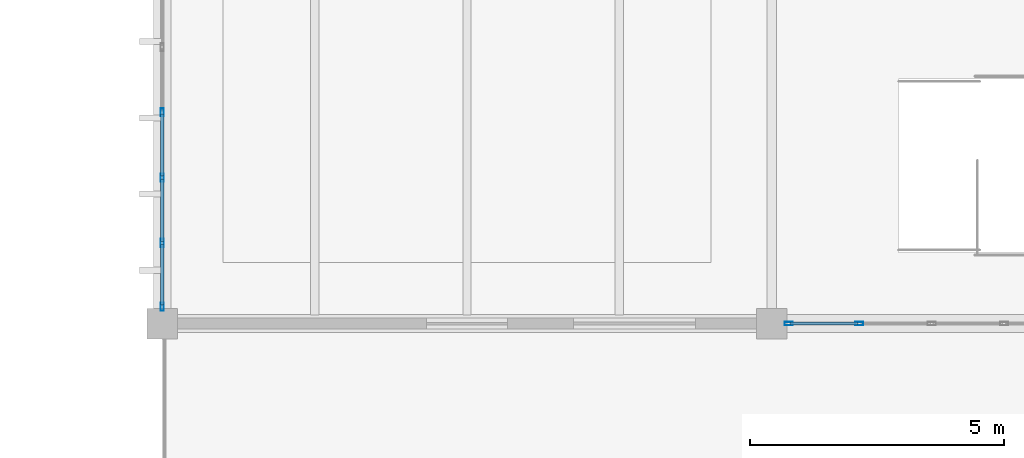
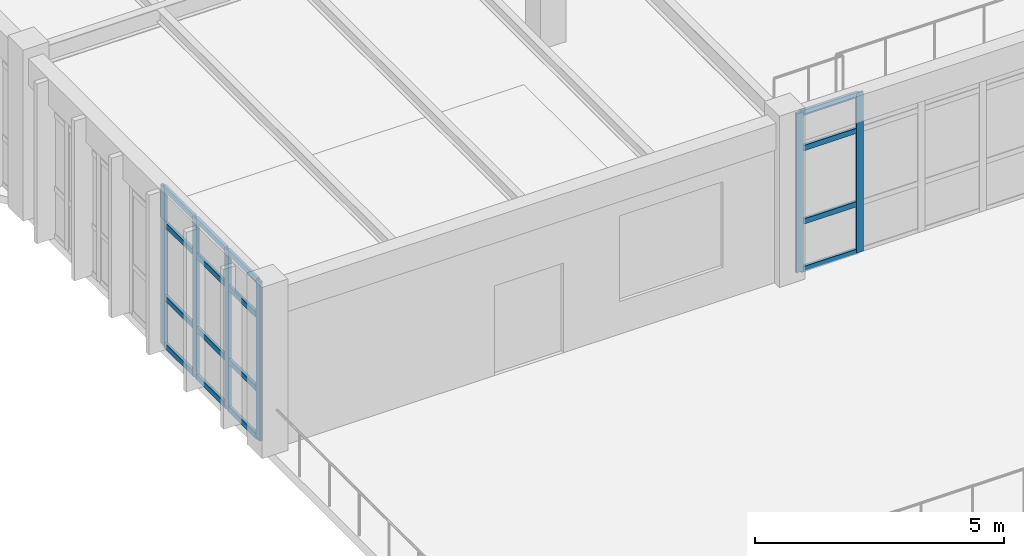
# One storey, part 24 of 83: 22 members, 2 elements without a shape of their own.
"""IFC4 building model written with IfcOpenShell, lengths in metres."""

from ifc_helpers import new_model, si_unit, direction, frame, origin, origin_2d, place, context, subcontext, project, spatial, hollow_rectangle, extrude, material, layer, layer_set, material_profile, profile_set, type_object, element, aggregate, save


model = new_model("IFC4")

# Units and contexts
model_context = context("Model", 3, precision=1e-05, world=origin(), true_north=direction((0.0, 1.0)))
body_context = subcontext(model_context, "Body", "Model", "MODEL_VIEW")
ifc_project = project(units=[si_unit("LENGTHUNIT", "METRE"), si_unit("AREAUNIT", "SQUARE_METRE"), si_unit("VOLUMEUNIT", "CUBIC_METRE"), si_unit("PLANEANGLEUNIT", "RADIAN"), si_unit("MASSUNIT", "GRAM", prefix="KILO")], contexts=[model_context])

# Site, building, storey
site_placement = place(None, origin())
site = spatial("IfcSite", under=ifc_project, at=site_placement, CompositionType="ELEMENT")
building_placement = place(site_placement, origin())
building = spatial("IfcBuilding", under=site, at=building_placement, Name="Pandanus Reach Market Hall", CompositionType="ELEMENT")
storey_placement = place(building_placement, frame((0.0, 0.0, 10.199951171875)))
storey = spatial("IfcBuildingStorey", under=building, at=storey_placement, Name="L02", CompositionType="ELEMENT", Elevation=10.199951171875)

# Curtain wall, members
ifc_material_1 = material(Name="Bronze anodised aluminium and low-E glass", Category="aluminium")
ifc_layer_1 = layer(ifc_material_1, 0.159912109375, Name="CW-30")
ifc_layer_set_1 = layer_set([ifc_layer_1], Name="Bronze anodised aluminium and low-E glass")
curtain_wall_type_1 = type_object("IfcCurtainWallType", Name="CW-30", PredefinedType="NOTDEFINED", material=ifc_layer_set_1)
curtain_wall_1_placement = place(storey_placement, origin())
curtain_wall_1 = element("IfcCurtainWall", 1, at=curtain_wall_1_placement, inside=storey, type_object=curtain_wall_type_1, Name="Glazed curtain wall CW-30 CW-0100", PredefinedType="NOTDEFINED")
ifc_material_2 = material(Name="Bronze anodised aluminium", Category="aluminium")
ifc_material_profile_1 = material_profile(ifc_material_2, hollow_rectangle(XDim=0.06494140625, YDim=0.159912109375, WallThickness=0.00390625, at=origin_2d()), Name="ALU65x160", Category="LoadBearing")
ifc_profile_set_1 = profile_set([ifc_material_profile_1], Name="Bronze anodised aluminium")
member_type_1 = type_object("IfcMemberType", Name="CW-M1", PredefinedType="MULLION", material=ifc_profile_set_1)
member_1_placement = place(storey_placement, frame((156.33251953125, 19.199951171875, 0.0), z_axis=(0.0, 0.0, 1.0), x_axis=(0.0, 1.0, 0.0)))
member_1 = element("IfcMember", 2, at=member_1_placement, type_object=member_type_1, Name="CW-30 mullion 1", PredefinedType="MULLION", context=body_context, shape_type="SweptSolid", body=[
    extrude(hollow_rectangle(XDim=0.06494140625, YDim=0.159912109375, WallThickness=0.00390625, at=origin_2d()), origin(), (0.0, 0.0, 1.0), 3.900146484375),
])
member_2_placement = place(storey_placement, frame((157.72509765625, 19.199951171875, 0.0), z_axis=(0.0, 0.0, 1.0), x_axis=(0.0, 1.0, 0.0)))
member_2 = element("IfcMember", 3, at=member_2_placement, type_object=member_type_1, Name="CW-30 mullion 2", PredefinedType="MULLION", context=body_context, shape_type="SweptSolid", body=[
    extrude(hollow_rectangle(XDim=0.06494140625, YDim=0.159912109375, WallThickness=0.00390625, at=origin_2d()), origin(), (0.0, 0.0, 1.0), 3.900146484375),
])

ifc_layer_2 = layer(ifc_material_1, 0.159912109375, Name="CW-33")
ifc_layer_set_2 = layer_set([ifc_layer_2], Name="Bronze anodised aluminium and low-E glass")
curtain_wall_type_2 = type_object("IfcCurtainWallType", Name="CW-33", PredefinedType="NOTDEFINED", material=ifc_layer_set_2)
curtain_wall_2_placement = place(storey_placement, origin())
curtain_wall_2 = element("IfcCurtainWall", 4, at=curtain_wall_2_placement, inside=storey, type_object=curtain_wall_type_2, Name="Glazed curtain wall CW-33 CW-0109", PredefinedType="NOTDEFINED")
member_3_placement = place(storey_placement, frame((144.0, 19.532470703125, 0.0), z_axis=(0.0, 0.0, 1.0), x_axis=(-1.0, 0.0, 0.0)))
member_3 = element("IfcMember", 5, at=member_3_placement, type_object=member_type_1, Name="CW-33 mullion 1", PredefinedType="MULLION", context=body_context, shape_type="SweptSolid", body=[
    extrude(hollow_rectangle(XDim=0.06494140625, YDim=0.159912109375, WallThickness=0.00390625, at=origin_2d()), origin(), (0.0, 0.0, 1.0), 3.900146484375),
])
member_4_placement = place(storey_placement, frame((144.0, 20.78564453125, 0.0), z_axis=(0.0, 0.0, 1.0), x_axis=(-1.0, 0.0, 0.0)))
member_4 = element("IfcMember", 6, at=member_4_placement, type_object=member_type_1, Name="CW-33 mullion 2", PredefinedType="MULLION", context=body_context, shape_type="SweptSolid", body=[
    extrude(hollow_rectangle(XDim=0.06494140625, YDim=0.159912109375, WallThickness=0.00390625, at=origin_2d()), origin(), (0.0, 0.0, 1.0), 3.900146484375),
])
member_5_placement = place(storey_placement, frame((144.0, 22.071533203125, 0.0), z_axis=(0.0, 0.0, 1.0), x_axis=(-1.0, 0.0, 0.0)))
member_5 = element("IfcMember", 7, at=member_5_placement, type_object=member_type_1, Name="CW-33 mullion 3", PredefinedType="MULLION", context=body_context, shape_type="SweptSolid", body=[
    extrude(hollow_rectangle(XDim=0.06494140625, YDim=0.159912109375, WallThickness=0.00390625, at=origin_2d()), origin(), (0.0, 0.0, 1.0), 3.900146484375),
])
member_6_placement = place(storey_placement, frame((144.0, 23.357177734375, 0.0), z_axis=(0.0, 0.0, 1.0), x_axis=(-1.0, 0.0, 0.0)))
member_6 = element("IfcMember", 8, at=member_6_placement, type_object=member_type_1, Name="CW-33 mullion 4", PredefinedType="MULLION", context=body_context, shape_type="SweptSolid", body=[
    extrude(hollow_rectangle(XDim=0.06494140625, YDim=0.159912109375, WallThickness=0.00390625, at=origin_2d()), origin(), (0.0, 0.0, 1.0), 3.900146484375),
])

# Member
ifc_material_profile_2 = material_profile(ifc_material_2, hollow_rectangle(XDim=0.06494140625, YDim=0.1298828125, WallThickness=0.00390625, at=origin_2d()), Name="ALU65x130", Category="LoadBearing")
ifc_profile_set_2 = profile_set([ifc_material_profile_2], Name="Bronze anodised aluminium")
member_type_2 = type_object("IfcMemberType", Name="CW-T1", PredefinedType="USERDEFINED", material=ifc_profile_set_2)
member_7_placement = place(storey_placement, frame((156.364990234375, 19.199951171875, 0.032470703125), z_axis=(1.0, 0.0, 0.0), x_axis=(0.0, 1.0, 0.0)))
member_7 = element("IfcMember", 9, at=member_7_placement, type_object=member_type_2, Name="CW-30 transom 1.1", ObjectType="TRANSOM", PredefinedType="USERDEFINED", context=body_context, shape_type="SweptSolid", body=[
    extrude(hollow_rectangle(XDim=0.06494140625, YDim=0.1298828125, WallThickness=0.00390625, at=origin_2d()), origin(), (0.0, 0.0, 1.0), 1.327392578125),
])

member_8_placement = place(storey_placement, frame((156.364990234375, 19.199951171875, 1.199951171875), z_axis=(1.0, 0.0, 0.0), x_axis=(0.0, 1.0, 0.0)))
member_8 = element("IfcMember", 10, at=member_8_placement, type_object=member_type_2, Name="CW-30 transom 1.2", ObjectType="TRANSOM", PredefinedType="USERDEFINED", context=body_context, shape_type="SweptSolid", body=[
    extrude(hollow_rectangle(XDim=0.06494140625, YDim=0.1298828125, WallThickness=0.00390625, at=origin_2d()), origin(), (0.0, 0.0, 1.0), 1.327392578125),
])

member_9_placement = place(storey_placement, frame((156.364990234375, 19.199951171875, 3.0), z_axis=(1.0, 0.0, 0.0), x_axis=(0.0, 1.0, 0.0)))
member_9 = element("IfcMember", 11, at=member_9_placement, type_object=member_type_2, Name="CW-30 transom 1.3", ObjectType="TRANSOM", PredefinedType="USERDEFINED", context=body_context, shape_type="SweptSolid", body=[
    extrude(hollow_rectangle(XDim=0.06494140625, YDim=0.1298828125, WallThickness=0.00390625, at=origin_2d()), origin(), (0.0, 0.0, 1.0), 1.327392578125),
])

member_10_placement = place(storey_placement, frame((156.364990234375, 19.199951171875, 3.867431640625), z_axis=(1.0, 0.0, 0.0), x_axis=(0.0, 1.0, 0.0)))
member_10 = element("IfcMember", 12, at=member_10_placement, type_object=member_type_2, Name="CW-30 transom 1.4", ObjectType="TRANSOM", PredefinedType="USERDEFINED", context=body_context, shape_type="SweptSolid", body=[
    extrude(hollow_rectangle(XDim=0.06494140625, YDim=0.1298828125, WallThickness=0.00390625, at=origin_2d()), origin(), (0.0, 0.0, 1.0), 1.327392578125),
])

aggregate(curtain_wall_1, [member_1, member_2, member_7, member_8, member_9, member_10])

member_11_placement = place(storey_placement, frame((144.0, 19.56494140625, 0.032470703125), z_axis=(0.0, 1.0, 0.0), x_axis=(-1.0, 0.0, 0.0)))
member_11 = element("IfcMember", 13, at=member_11_placement, type_object=member_type_2, Name="CW-33 transom 1.1", ObjectType="TRANSOM", PredefinedType="USERDEFINED", context=body_context, shape_type="SweptSolid", body=[
    extrude(hollow_rectangle(XDim=0.06494140625, YDim=0.1298828125, WallThickness=0.00390625, at=origin_2d()), origin(), (0.0, 0.0, 1.0), 1.188232421875),
])

member_12_placement = place(storey_placement, frame((144.0, 19.56494140625, 1.199951171875), z_axis=(0.0, 1.0, 0.0), x_axis=(-1.0, 0.0, 0.0)))
member_12 = element("IfcMember", 14, at=member_12_placement, type_object=member_type_2, Name="CW-33 transom 1.2", ObjectType="TRANSOM", PredefinedType="USERDEFINED", context=body_context, shape_type="SweptSolid", body=[
    extrude(hollow_rectangle(XDim=0.06494140625, YDim=0.1298828125, WallThickness=0.00390625, at=origin_2d()), origin(), (0.0, 0.0, 1.0), 1.188232421875),
])

member_13_placement = place(storey_placement, frame((144.0, 19.56494140625, 3.0), z_axis=(0.0, 1.0, 0.0), x_axis=(-1.0, 0.0, 0.0)))
member_13 = element("IfcMember", 15, at=member_13_placement, type_object=member_type_2, Name="CW-33 transom 1.3", ObjectType="TRANSOM", PredefinedType="USERDEFINED", context=body_context, shape_type="SweptSolid", body=[
    extrude(hollow_rectangle(XDim=0.06494140625, YDim=0.1298828125, WallThickness=0.00390625, at=origin_2d()), origin(), (0.0, 0.0, 1.0), 1.188232421875),
])

member_14_placement = place(storey_placement, frame((144.0, 19.56494140625, 3.867431640625), z_axis=(0.0, 1.0, 0.0), x_axis=(-1.0, 0.0, 0.0)))
member_14 = element("IfcMember", 16, at=member_14_placement, type_object=member_type_2, Name="CW-33 transom 1.4", ObjectType="TRANSOM", PredefinedType="USERDEFINED", context=body_context, shape_type="SweptSolid", body=[
    extrude(hollow_rectangle(XDim=0.06494140625, YDim=0.1298828125, WallThickness=0.00390625, at=origin_2d()), origin(), (0.0, 0.0, 1.0), 1.188232421875),
])

member_15_placement = place(storey_placement, frame((144.0, 20.818115234375, 0.032470703125), z_axis=(0.0, 1.0, 0.0), x_axis=(-1.0, 0.0, 0.0)))
member_15 = element("IfcMember", 17, at=member_15_placement, type_object=member_type_2, Name="CW-33 transom 2.1", ObjectType="TRANSOM", PredefinedType="USERDEFINED", context=body_context, shape_type="SweptSolid", body=[
    extrude(hollow_rectangle(XDim=0.06494140625, YDim=0.1298828125, WallThickness=0.00390625, at=origin_2d()), origin(), (0.0, 0.0, 1.0), 1.220703125),
])

member_16_placement = place(storey_placement, frame((144.0, 20.818115234375, 1.199951171875), z_axis=(0.0, 1.0, 0.0), x_axis=(-1.0, 0.0, 0.0)))
member_16 = element("IfcMember", 18, at=member_16_placement, type_object=member_type_2, Name="CW-33 transom 2.2", ObjectType="TRANSOM", PredefinedType="USERDEFINED", context=body_context, shape_type="SweptSolid", body=[
    extrude(hollow_rectangle(XDim=0.06494140625, YDim=0.1298828125, WallThickness=0.00390625, at=origin_2d()), origin(), (0.0, 0.0, 1.0), 1.220703125),
])

member_17_placement = place(storey_placement, frame((144.0, 20.818115234375, 3.0), z_axis=(0.0, 1.0, 0.0), x_axis=(-1.0, 0.0, 0.0)))
member_17 = element("IfcMember", 19, at=member_17_placement, type_object=member_type_2, Name="CW-33 transom 2.3", ObjectType="TRANSOM", PredefinedType="USERDEFINED", context=body_context, shape_type="SweptSolid", body=[
    extrude(hollow_rectangle(XDim=0.06494140625, YDim=0.1298828125, WallThickness=0.00390625, at=origin_2d()), origin(), (0.0, 0.0, 1.0), 1.220703125),
])

member_18_placement = place(storey_placement, frame((144.0, 20.818115234375, 3.867431640625), z_axis=(0.0, 1.0, 0.0), x_axis=(-1.0, 0.0, 0.0)))
member_18 = element("IfcMember", 20, at=member_18_placement, type_object=member_type_2, Name="CW-33 transom 2.4", ObjectType="TRANSOM", PredefinedType="USERDEFINED", context=body_context, shape_type="SweptSolid", body=[
    extrude(hollow_rectangle(XDim=0.06494140625, YDim=0.1298828125, WallThickness=0.00390625, at=origin_2d()), origin(), (0.0, 0.0, 1.0), 1.220703125),
])

member_19_placement = place(storey_placement, frame((144.0, 22.10400390625, 0.032470703125), z_axis=(0.0, 1.0, 0.0), x_axis=(-1.0, 0.0, 0.0)))
member_19 = element("IfcMember", 21, at=member_19_placement, type_object=member_type_2, Name="CW-33 transom 3.1", ObjectType="TRANSOM", PredefinedType="USERDEFINED", context=body_context, shape_type="SweptSolid", body=[
    extrude(hollow_rectangle(XDim=0.06494140625, YDim=0.1298828125, WallThickness=0.00390625, at=origin_2d()), origin(), (0.0, 0.0, 1.0), 1.220703125),
])

member_20_placement = place(storey_placement, frame((144.0, 22.10400390625, 1.199951171875), z_axis=(0.0, 1.0, 0.0), x_axis=(-1.0, 0.0, 0.0)))
member_20 = element("IfcMember", 22, at=member_20_placement, type_object=member_type_2, Name="CW-33 transom 3.2", ObjectType="TRANSOM", PredefinedType="USERDEFINED", context=body_context, shape_type="SweptSolid", body=[
    extrude(hollow_rectangle(XDim=0.06494140625, YDim=0.1298828125, WallThickness=0.00390625, at=origin_2d()), origin(), (0.0, 0.0, 1.0), 1.220703125),
])

member_21_placement = place(storey_placement, frame((144.0, 22.10400390625, 3.0), z_axis=(0.0, 1.0, 0.0), x_axis=(-1.0, 0.0, 0.0)))
member_21 = element("IfcMember", 23, at=member_21_placement, type_object=member_type_2, Name="CW-33 transom 3.3", ObjectType="TRANSOM", PredefinedType="USERDEFINED", context=body_context, shape_type="SweptSolid", body=[
    extrude(hollow_rectangle(XDim=0.06494140625, YDim=0.1298828125, WallThickness=0.00390625, at=origin_2d()), origin(), (0.0, 0.0, 1.0), 1.220703125),
])

member_22_placement = place(storey_placement, frame((144.0, 22.10400390625, 3.867431640625), z_axis=(0.0, 1.0, 0.0), x_axis=(-1.0, 0.0, 0.0)))
member_22 = element("IfcMember", 24, at=member_22_placement, type_object=member_type_2, Name="CW-33 transom 3.4", ObjectType="TRANSOM", PredefinedType="USERDEFINED", context=body_context, shape_type="SweptSolid", body=[
    extrude(hollow_rectangle(XDim=0.06494140625, YDim=0.1298828125, WallThickness=0.00390625, at=origin_2d()), origin(), (0.0, 0.0, 1.0), 1.220703125),
])

aggregate(curtain_wall_2, [member_3, member_4, member_5, member_6, member_11, member_12, member_13, member_14, member_15, member_16, member_17, member_18, member_19, member_20, member_21, member_22])

save(model, "model.ifc")
